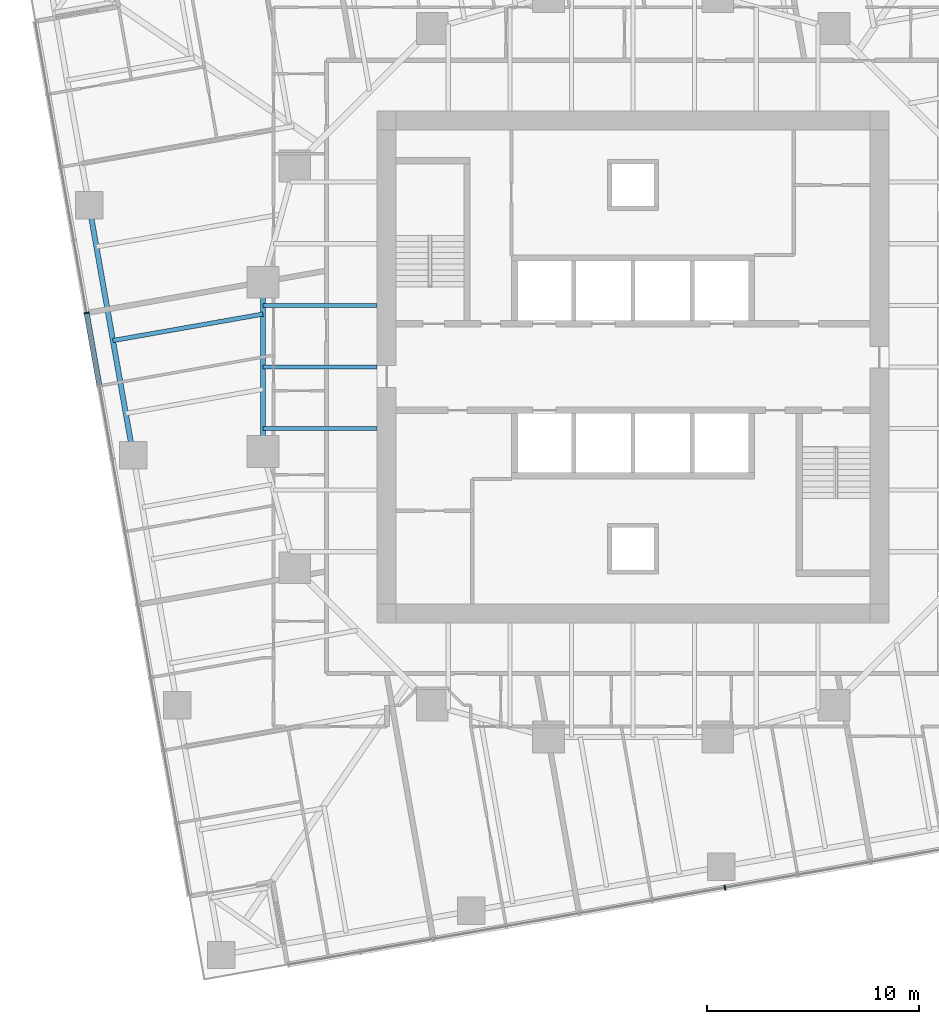
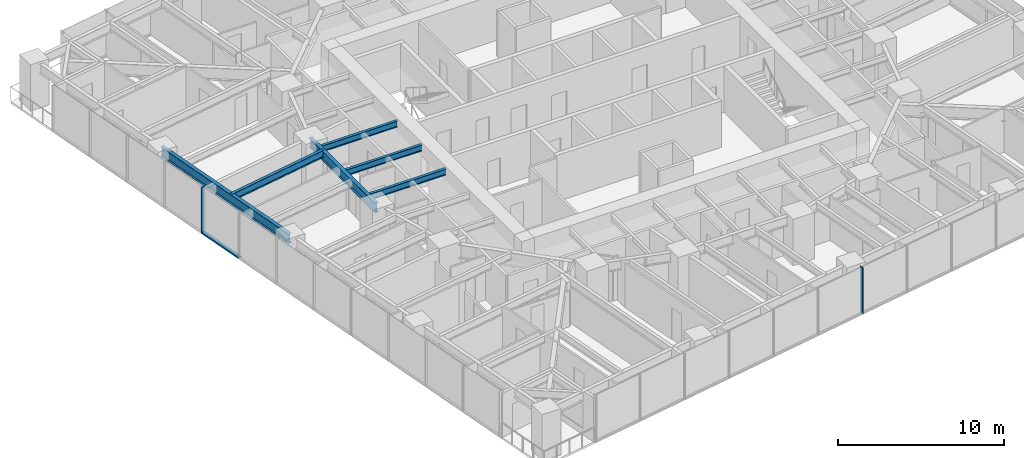
# One storey, part 3 of 14: 6 beams, 3 members, 2 elements without a shape of their own.
"""IFC4 building model written with IfcOpenShell, lengths in metres."""

from ifc_helpers import new_model, si_unit, direction, frame, origin, origin_2d, place, context, subcontext, project, spatial, rectangle, i_section, extrude, material, material_profile, profile_set, type_object, element, aggregate, save


model = new_model("IFC4")

# Units and contexts
model_context = context("Model", 3, precision=1e-05, world=origin(), true_north=direction((0.0, 1.0)))
body_context = subcontext(model_context, "Body", "Model", "MODEL_VIEW")
ifc_project = project(units=[si_unit("LENGTHUNIT", "METRE"), si_unit("AREAUNIT", "SQUARE_METRE"), si_unit("VOLUMEUNIT", "CUBIC_METRE"), si_unit("PLANEANGLEUNIT", "RADIAN"), si_unit("MASSUNIT", "GRAM", prefix="KILO")], contexts=[model_context])

# Site, building, storey
site_placement = place(None, origin())
site = spatial("IfcSite", under=ifc_project, at=site_placement, CompositionType="ELEMENT")
building_placement = place(site_placement, origin())
building = spatial("IfcBuilding", under=site, at=building_placement, Name="Torsade Residences", CompositionType="ELEMENT")
storey_placement = place(building_placement, frame((0.0, 0.0, 86.199951171875)))
storey = spatial("IfcBuildingStorey", under=building, at=storey_placement, Name="L23", CompositionType="ELEMENT", Elevation=86.199951171875)

# Curtain wall, member
ifc_material_1 = material(Name="Aluminium and glass", Category="aluminium")
curtain_wall_type = type_object("IfcCurtainWallType", Name="FRITTED GLASS CURTAIN WALL LOW ZONE", PredefinedType="NOTDEFINED", material=ifc_material_1)
curtain_wall_1_placement = place(storey_placement, origin())
curtain_wall_1 = element("IfcCurtainWall", 1, at=curtain_wall_1_placement, inside=storey, type_object=curtain_wall_type, Name="Curtain wall L23 face 1", PredefinedType="NOTDEFINED")
ifc_material_2 = material(Name="Aluminium mullion", Category="aluminium")
ifc_material_profile_1 = material_profile(ifc_material_2, rectangle(XDim=0.25, YDim=0.06494140625, at=origin_2d()), Name="CURTAIN WALL MULLION 250x65")
ifc_profile_set_1 = profile_set([ifc_material_profile_1], Name="Aluminium mullion")
member_type_1 = type_object("IfcMemberType", Name="CURTAIN WALL MULLION 250x65", PredefinedType="MULLION", material=ifc_profile_set_1)
member_1_placement = place(storey_placement, frame((44.34130859375, 5.3798828125, 0.0), z_axis=(0.0, 0.0, 1.0), x_axis=(-0.173648192638, 0.984807750372, 0.0)))
member_1 = element("IfcMember", 2, at=member_1_placement, type_object=member_type_1, Name="Mullion 7", PredefinedType="MULLION", context=body_context, shape_type="SweptSolid", body=[
    extrude(rectangle(XDim=0.25, YDim=0.06494140625, at=origin_2d()), origin(), (0.0, 0.0, 1.0), 3.400146484375),
])
aggregate(curtain_wall_1, [member_1])

# Curtain wall, members
curtain_wall_2_placement = place(storey_placement, origin())
curtain_wall_2 = element("IfcCurtainWall", 3, at=curtain_wall_2_placement, inside=storey, type_object=curtain_wall_type, Name="Curtain wall L23 face 10", PredefinedType="NOTDEFINED")
member_2_placement = place(storey_placement, frame((14.164306640625, 32.552490234375, 0.0), z_axis=(0.0, 0.0, 1.0), x_axis=(0.984807750372, 0.173648192638, 0.0)))
member_2 = element("IfcMember", 4, at=member_2_placement, type_object=member_type_1, Name="Mullion 5", PredefinedType="MULLION", context=body_context, shape_type="SweptSolid", body=[
    extrude(rectangle(XDim=0.25, YDim=0.06494140625, at=origin_2d()), origin(), (0.0, 0.0, 1.0), 3.400146484375),
])
ifc_material_3 = material(Name="Aluminium transom", Category="aluminium")
ifc_material_profile_2 = material_profile(ifc_material_3, rectangle(XDim=0.25, YDim=0.10009765625, at=origin_2d()), Name="CURTAIN WALL TRANSOM 250x100")
ifc_profile_set_2 = profile_set([ifc_material_profile_2], Name="Aluminium transom")
member_type_2 = type_object("IfcMemberType", Name="CURTAIN WALL TRANSOM 250x100", PredefinedType="USERDEFINED", material=ifc_profile_set_2)
member_3_placement = place(storey_placement, frame((14.169921875, 32.5205078125, 0.050048828125), z_axis=(0.17363531196, -0.984810021497, 0.0), x_axis=(0.984810021497, 0.17363531196, 0.0)))
member_3 = element("IfcMember", 5, at=member_3_placement, type_object=member_type_2, Name="Transom 5.1", ObjectType="TRANSOM", PredefinedType="USERDEFINED", context=body_context, shape_type="SweptSolid", body=[
    extrude(rectangle(XDim=0.25, YDim=0.10009765625, at=origin_2d()), origin(), (0.0, 0.0, 1.0), 3.43505859375),
])
aggregate(curtain_wall_2, [member_2, member_3])

# Beams
ifc_material_4 = material(Name="Steel grade 300", Category="steel")
ifc_material_profile_3 = material_profile(ifc_material_4, i_section(OverallWidth=0.25, OverallDepth=0.699951171875, WebThickness=0.010009765625, FlangeThickness=0.02001953125, at=origin_2d()), Name="700WB130")
ifc_profile_set_3 = profile_set([ifc_material_profile_3], Name="Steel grade 300")
beam_type_1 = type_object("IfcBeamType", Name="EDGE BEAM 700WB130", PredefinedType="SPANDREL", material=ifc_profile_set_3)
beam_1_placement = place(storey_placement, frame((14.28076171875, 37.650146484375, 2.900146484375), z_axis=(0.173646056486, -0.984808127031, 0.0), x_axis=(0.984808127031, 0.173646056486, 0.0)))
element("IfcBeam", 6, at=beam_1_placement, inside=storey, type_object=beam_type_1, Name="Edge beam 14 L24", PredefinedType="SPANDREL", context=body_context, shape_type="SweptSolid", body=[
    extrude(i_section(OverallWidth=0.25, OverallDepth=0.699951171875, WebThickness=0.010009765625, FlangeThickness=0.02001953125, at=origin_2d()), origin(), (0.0, 0.0, 1.0), 12.0),
])
ifc_material_5 = material(Name="Steel grade 300", Category="steel")
ifc_material_profile_4 = material_profile(ifc_material_5, i_section(OverallWidth=0.18994140625, OverallDepth=0.4541015625, WebThickness=0.008544921875, FlangeThickness=0.0126953125, FilletRadius=0.011474609375, at=origin_2d()), Name="460UB67.1")
ifc_profile_set_4 = profile_set([ifc_material_profile_4], Name="Steel grade 300")
beam_type_2 = type_object("IfcBeamType", Name="INNER FLOOR BEAM 460UB67.1", PredefinedType="JOIST", material=ifc_profile_set_4)
for number, where, z_axis, x_axis, name in (
    (7, (27.89990234375, 32.91259765625, 3.02294921875), (-1.0, 0.0, 0.0), (0.0, -1.0, 0.0), "Inner floor beam IW03 L24"),
    (8, (27.89990234375, 30.0, 3.02294921875), (-1.0, 0.0, 0.0), (0.0, -1.0, 0.0), "Inner floor beam IW04 L24"),
    (9, (27.89990234375, 27.08740234375, 3.02294921875), (-1.0, 0.0, 0.0), (0.0, -1.0, 0.0), "Inner floor beam IW05 L24"),
):
    element("IfcBeam", number, at=place(storey_placement, frame(where, z_axis=z_axis, x_axis=x_axis)), inside=storey, type_object=beam_type_2, Name=name, PredefinedType="JOIST", context=body_context, shape_type="SweptSolid", body=[
        extrude(i_section(OverallWidth=0.18994140625, OverallDepth=0.4541015625, WebThickness=0.008544921875, FlangeThickness=0.0126953125, FilletRadius=0.011474609375, at=origin_2d()), origin(), (0.0, 0.0, 1.0), 5.39990234375),
    ])
ifc_material_6 = material(Name="Steel grade 300", Category="steel")
ifc_material_profile_5 = material_profile(ifc_material_6, i_section(OverallWidth=0.25, OverallDepth=0.699951171875, WebThickness=0.010009765625, FlangeThickness=0.02001953125, at=origin_2d()), Name="700WB130")
ifc_profile_set_5 = profile_set([ifc_material_profile_5], Name="Steel grade 300")
beam_type_3 = type_object("IfcBeamType", Name="RING GIRDER 700WB130", PredefinedType="BEAM", material=ifc_profile_set_5)
beam_2_placement = place(storey_placement, frame((22.5, 34.0, 2.900146484375), z_axis=(0.0, -1.0, 0.0), x_axis=(1.0, 0.0, 0.0)))
element("IfcBeam", 10, at=beam_2_placement, inside=storey, type_object=beam_type_3, Name="Ring girder IR09 L24", PredefinedType="BEAM", context=body_context, shape_type="SweptSolid", body=[
    extrude(i_section(OverallWidth=0.25, OverallDepth=0.699951171875, WebThickness=0.010009765625, FlangeThickness=0.02001953125, at=origin_2d()), origin(), (0.0, 0.0, 1.0), 8.0),
])
ifc_material_7 = material(Name="Steel grade 300", Category="steel")
ifc_material_profile_6 = material_profile(ifc_material_7, i_section(OverallWidth=0.208984375, OverallDepth=0.528076171875, WebThickness=0.009521484375, FlangeThickness=0.01318359375, FilletRadius=0.013916015625, at=origin_2d()), Name="530UB82.0")
ifc_profile_set_6 = profile_set([ifc_material_profile_6], Name="Steel grade 300")
beam_type_4 = type_object("IfcBeamType", Name="SECONDARY BEAM 530UB82.0", PredefinedType="JOIST", material=ifc_profile_set_6)
beam_3_placement = place(storey_placement, frame((15.40966796875, 31.248779296875, 2.986083984375), z_axis=(0.984807104535, 0.173651855324, 0.0), x_axis=(-0.173651855324, 0.984807104535, 0.0)))
element("IfcBeam", 11, at=beam_3_placement, inside=storey, type_object=beam_type_4, Name="Floor beam FW05 L24", PredefinedType="JOIST", context=body_context, shape_type="SweptSolid", body=[
    extrude(i_section(OverallWidth=0.208984375, OverallDepth=0.528076171875, WebThickness=0.009521484375, FlangeThickness=0.01318359375, FilletRadius=0.013916015625, at=origin_2d()), origin(), (0.0, 0.0, 1.0), 7.19970703125),
])

save(model, "model.ifc")
